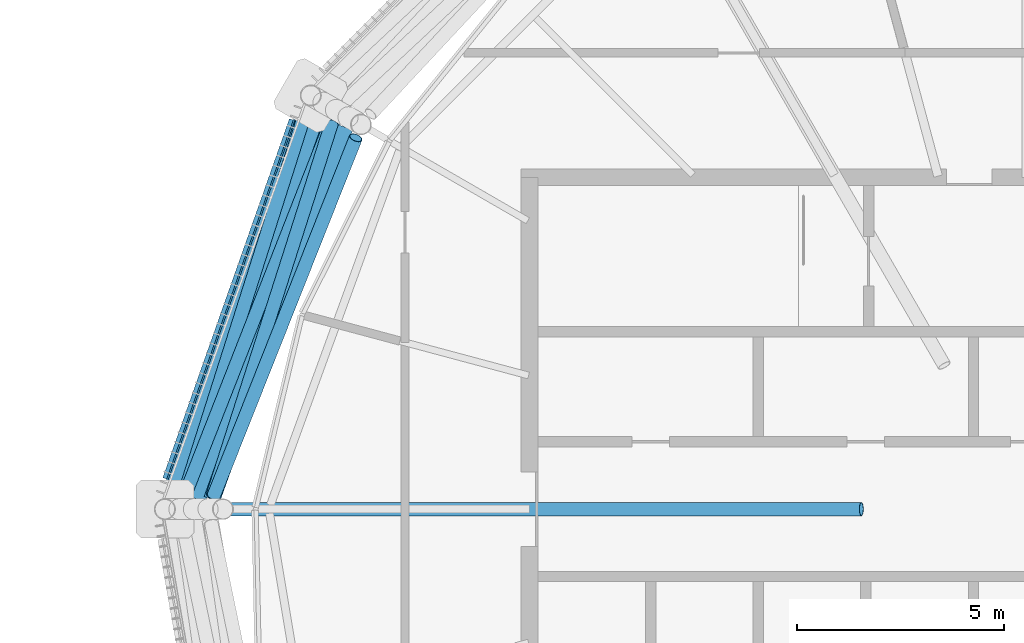
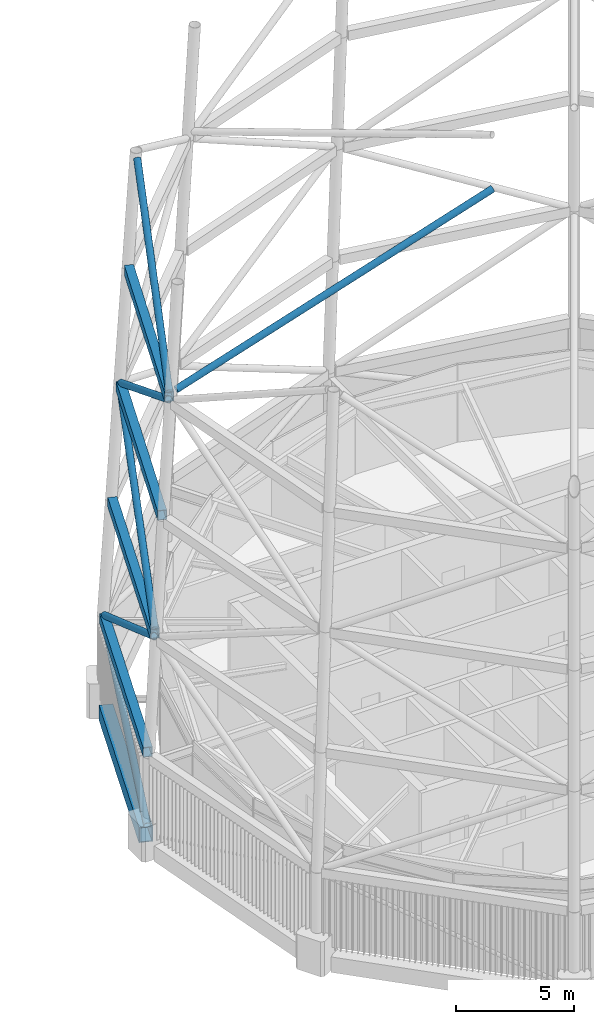
# One storey, part 46 of 71: 6 members, 5 beams.
"""IFC4 building model written with IfcOpenShell, lengths in metres."""

from ifc_helpers import new_model, si_unit, direction, frame, origin, origin_2d, place, context, subcontext, project, spatial, hollow_rectangle, hollow_circle, extrude, material, material_profile, profile_set, type_object, element, save


model = new_model("IFC4")

# Units and contexts
model_context = context("Model", 3, precision=1e-05, world=origin(), true_north=direction((0.0, 1.0)))
body_context = subcontext(model_context, "Body", "Model", "MODEL_VIEW")
ifc_project = project(units=[si_unit("LENGTHUNIT", "METRE"), si_unit("AREAUNIT", "SQUARE_METRE"), si_unit("VOLUMEUNIT", "CUBIC_METRE"), si_unit("PLANEANGLEUNIT", "RADIAN"), si_unit("MASSUNIT", "GRAM", prefix="KILO")], contexts=[model_context])

# Site, building, storey
site_placement = place(None, origin())
site = spatial("IfcSite", under=ifc_project, at=site_placement, CompositionType="ELEMENT")
building_placement = place(site_placement, origin())
building = spatial("IfcBuilding", under=site, at=building_placement, Name="Rimbun Link Towers", CompositionType="ELEMENT")
storey_placement = place(building_placement, frame((0.0, 0.0, 267.60009765625)))
storey = spatial("IfcBuildingStorey", under=building, at=storey_placement, Name="L65", CompositionType="ELEMENT", Elevation=267.60009765625)

# Members
ifc_material_1 = material(Name="Steel S355J2H", Category="steel")
ifc_material_profile_1 = material_profile(ifc_material_1, hollow_circle(Radius=0.161865234375, WallThickness=0.011962890625, at=origin_2d()), Name="Crown frame brace CHS 324x12")
ifc_profile_set_1 = profile_set([ifc_material_profile_1], Name="Steel S355J2H")
member_type = type_object("IfcMemberType", Name="Crown frame brace CHS 324x12", PredefinedType="BRACE", material=ifc_profile_set_1)
member_1_placement = place(storey_placement, frame((11.083984375, 0.352783203125, 0.141357421875), z_axis=(0.311039907345, 0.882089192598, 0.353797728004), x_axis=(-0.943086157415, 0.332548492242, 0.0)))
element("IfcMember", 1, at=member_1_placement, inside=storey, type_object=member_type, Name="CROWN FRAME brace T2 1-03", PredefinedType="BRACE", context=body_context, shape_type="SweptSolid", body=[
    extrude(hollow_circle(Radius=0.161865234375, WallThickness=0.011962890625, at=origin_2d()), origin(), (0.0, 0.0, 1.0), 10.506103515625),
])
member_2_placement = place(storey_placement, frame((14.371337890625, 9.642333984375, 4.198974609375), z_axis=(-0.262551007335, -0.826826473434, 0.497418286129), x_axis=(0.953102186388, -0.302648678011, 0.0)))
element("IfcMember", 2, at=member_2_placement, inside=storey, type_object=member_type, Name="CROWN FRAME brace T2 2-03", PredefinedType="BRACE", context=body_context, shape_type="SweptSolid", body=[
    extrude(hollow_circle(Radius=0.161865234375, WallThickness=0.011962890625, at=origin_2d()), origin(), (0.0, 0.0, 1.0), 11.26171875),
])
member_3_placement = place(storey_placement, frame((11.435791015625, 0.322021484375, 10.20068359375), z_axis=(0.315700544962, 0.805167749104, 0.502033924863), x_axis=(-0.930993441953, 0.36503590377, 0.0)))
element("IfcMember", 3, at=member_3_placement, inside=storey, type_object=member_type, Name="CROWN FRAME brace T2 3-03", PredefinedType="BRACE", context=body_context, shape_type="SweptSolid", body=[
    extrude(hollow_circle(Radius=0.161865234375, WallThickness=0.011962890625, at=origin_2d()), origin(), (0.0, 0.0, 1.0), 11.1513671875),
])
member_4_placement = place(storey_placement, frame((14.977783203125, 9.29541015625, 16.2041015625), z_axis=(-0.261547717319, -0.819025639605, 0.510675820099), x_axis=(0.952606455253, -0.304205426334, 0.0)))
element("IfcMember", 4, at=member_4_placement, inside=storey, type_object=member_type, Name="CROWN FRAME brace T2 4-03", PredefinedType="BRACE", context=body_context, shape_type="SweptSolid", body=[
    extrude(hollow_circle(Radius=0.161865234375, WallThickness=0.011962890625, at=origin_2d()), origin(), (0.0, 0.0, 1.0), 10.94921875),
])
member_5_placement = place(storey_placement, frame((12.135986328125, 0.318603515625, 22.2060546875), z_axis=(0.316034088179, 0.796548223391, 0.515396335767), x_axis=(-0.929513303893, 0.368788581557, 0.0)))
element("IfcMember", 5, at=member_5_placement, inside=storey, type_object=member_type, Name="CROWN FRAME brace T2 5-03", PredefinedType="BRACE", context=body_context, shape_type="SweptSolid", body=[
    extrude(hollow_circle(Radius=0.161865234375, WallThickness=0.011962890625, at=origin_2d()), origin(), (0.0, 0.0, 1.0), 10.841552734375),
])
member_6_placement = place(storey_placement, frame((27.75, 0.0, 27.39990234375), z_axis=(-0.952412451042, 0.0, -0.304812275179), x_axis=(0.0, -1.0, 0.0)))
element("IfcMember", 6, at=member_6_placement, inside=storey, type_object=member_type, Name="CROWN FRAME hub stay T2 04", PredefinedType="BRACE", context=body_context, shape_type="SweptSolid", body=[
    extrude(hollow_circle(Radius=0.161865234375, WallThickness=0.011962890625, at=origin_2d()), origin(), (0.0, 0.0, 1.0), 16.2392578125),
])

# Beams
ifc_material_2 = material(Name="Steel S355J2", Category="steel")
ifc_material_profile_2 = material_profile(ifc_material_2, hollow_rectangle(XDim=0.39990234375, YDim=0.5, WallThickness=0.02001953125, at=origin_2d()), Name="Crown frame ring beam BOX 400x500x20")
ifc_profile_set_2 = profile_set([ifc_material_profile_2], Name="Steel S355J2")
beam_type_1 = type_object("IfcBeamType", Name="Crown frame ring beam BOX 400x500x20", PredefinedType="BEAM", material=ifc_profile_set_2)
beam_1_placement = place(storey_placement, frame((14.391845703125, 9.7333984375, 4.0), z_axis=(-0.332565125727, -0.943080291996, 0.0), x_axis=(0.943080291996, -0.332565125727, 0.0)))
element("IfcBeam", 7, at=beam_1_placement, inside=storey, type_object=beam_type_1, Name="CROWN FRAME ring beam T2 1-03", PredefinedType="BEAM", context=body_context, shape_type="SweptSolid", body=[
    extrude(hollow_rectangle(XDim=0.39990234375, YDim=0.5, WallThickness=0.02001953125, at=origin_2d()), origin(), (0.0, 0.0, 1.0), 10.06689453125),
])
beam_2_placement = place(storey_placement, frame((14.694580078125, 9.55859375, 10.0), z_axis=(-0.333827485191, -0.942634186804, 0.0), x_axis=(0.942634186804, -0.333827485191, 0.0)))
element("IfcBeam", 8, at=beam_2_placement, inside=storey, type_object=beam_type_1, Name="CROWN FRAME ring beam T2 2-03", PredefinedType="BEAM", context=body_context, shape_type="SweptSolid", body=[
    extrude(hollow_rectangle(XDim=0.39990234375, YDim=0.5, WallThickness=0.02001953125, at=origin_2d()), origin(), (0.0, 0.0, 1.0), 9.88623046875),
])
beam_3_placement = place(storey_placement, frame((14.997314453125, 9.3837890625, 16.0), z_axis=(-0.335128267588, -0.942172513006, 0.0), x_axis=(0.942172513006, -0.335128267588, 0.0)))
element("IfcBeam", 9, at=beam_3_placement, inside=storey, type_object=beam_type_1, Name="CROWN FRAME ring beam T2 3-03", PredefinedType="BEAM", context=body_context, shape_type="SweptSolid", body=[
    extrude(hollow_rectangle(XDim=0.39990234375, YDim=0.5, WallThickness=0.02001953125, at=origin_2d()), origin(), (0.0, 0.0, 1.0), 9.705810546875),
])
beam_4_placement = place(storey_placement, frame((15.300048828125, 9.208740234375, 22.0), z_axis=(-0.33649389431, -0.941685647704, 0.0), x_axis=(0.941685647704, -0.33649389431, 0.0)))
element("IfcBeam", 10, at=beam_4_placement, inside=storey, type_object=beam_type_1, Name="CROWN FRAME ring beam T2 4-03", PredefinedType="BEAM", context=body_context, shape_type="SweptSolid", body=[
    extrude(hollow_rectangle(XDim=0.39990234375, YDim=0.5, WallThickness=0.02001953125, at=origin_2d()), origin(), (0.0, 0.0, 1.0), 9.52490234375),
])
ifc_material_3 = material(Name="Steel S355J2", Category="steel")
ifc_material_profile_3 = material_profile(ifc_material_3, hollow_rectangle(XDim=0.60009765625, YDim=0.800048828125, WallThickness=0.0400390625, at=origin_2d()), Name="Exoskeleton ring girder BOX 600x800x40")
ifc_profile_set_3 = profile_set([ifc_material_profile_3], Name="Steel S355J2")
beam_type_2 = type_object("IfcBeamType", Name="Exoskeleton ring girder BOX 600x800x40", PredefinedType="BEAM", material=ifc_profile_set_3)
beam_5_placement = place(storey_placement, frame((14.243408203125, 9.312744140625, -0.56005859375), z_axis=(-0.332545897249, -0.94308707245, 0.0), x_axis=(0.94308707245, -0.332545897249, 0.0)))
element("IfcBeam", 11, at=beam_5_placement, inside=storey, type_object=beam_type_2, Name="Exoskeleton ring girder L65 03", PredefinedType="BEAM", context=body_context, shape_type="SweptSolid", body=[
    extrude(hollow_rectangle(XDim=0.60009765625, YDim=0.800048828125, WallThickness=0.0400390625, at=origin_2d()), origin(), (0.0, 0.0, 1.0), 9.1748046875),
])

save(model, "model.ifc")
